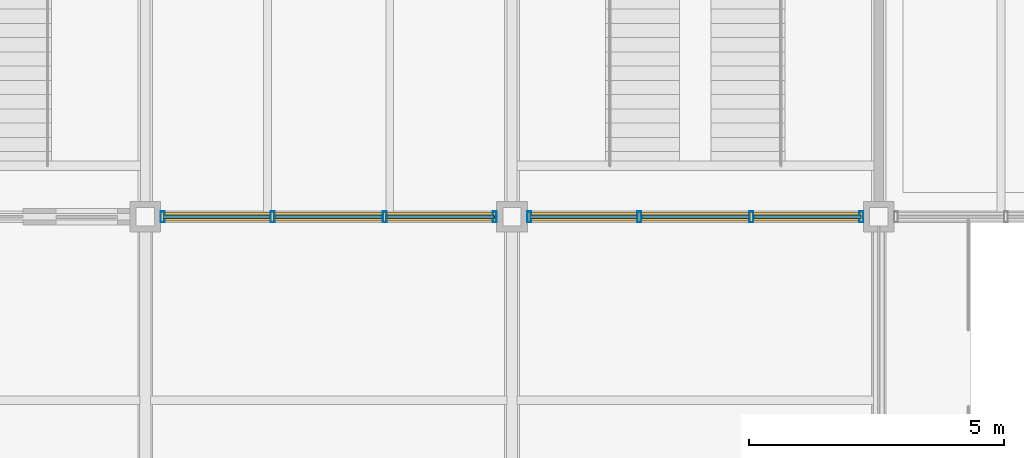
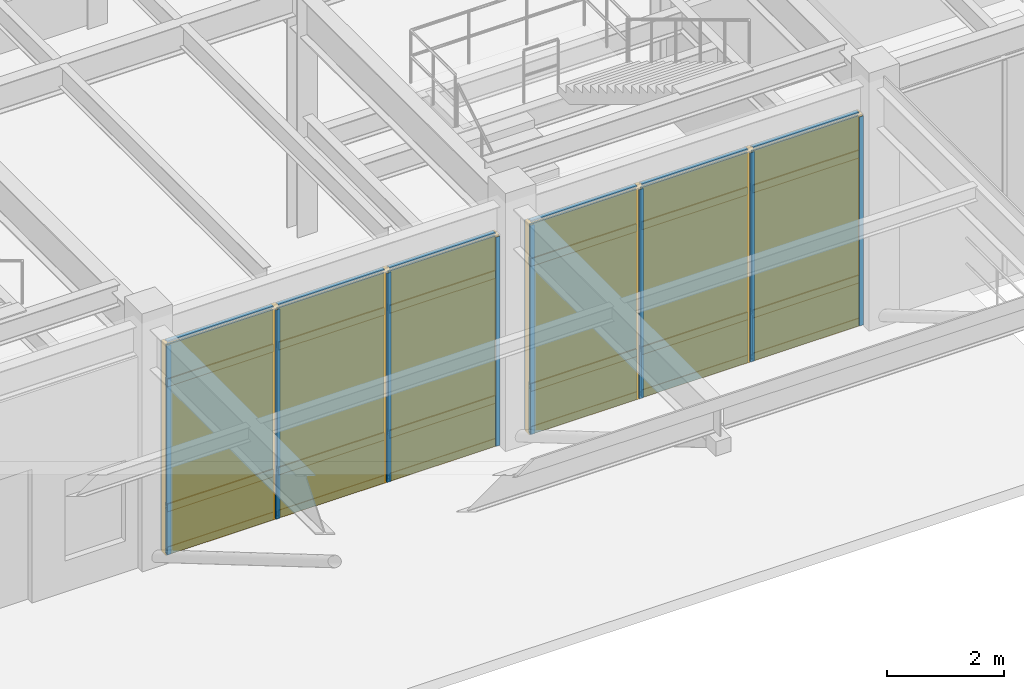
# One storey, part 55 of 97: 32 members, 12 plates, 2 curtain walls.
"""IFC4 building model written with IfcOpenShell, lengths in metres."""

from ifc_helpers import new_model, si_unit, direction, frame, origin, origin_2d, place, context, subcontext, project, spatial, rectangle, hollow_rectangle, extrude, material, layer, layer_set, material_profile, profile_set, type_object, element, aggregate, save


model = new_model("IFC4")

# Units and contexts
model_context = context("Model", 3, precision=1e-05, world=origin(), true_north=direction((0.0, 1.0)))
body_context = subcontext(model_context, "Body", "Model", "MODEL_VIEW")
ifc_project = project(units=[si_unit("LENGTHUNIT", "METRE"), si_unit("AREAUNIT", "SQUARE_METRE"), si_unit("VOLUMEUNIT", "CUBIC_METRE"), si_unit("PLANEANGLEUNIT", "RADIAN"), si_unit("MASSUNIT", "GRAM", prefix="KILO")], contexts=[model_context])

# Member
ifc_material_1 = material(Name="Anodized Aluminium 6063-T6", Category="aluminium")
ifc_material_profile_1 = material_profile(ifc_material_1, hollow_rectangle(XDim=0.074951171875, YDim=0.219970703125, WallThickness=0.0048828125, at=origin_2d()), Name="ALU 75x220x5")
ifc_profile_set_1 = profile_set([ifc_material_profile_1], Name="Anodized Aluminium 6063-T6")
member_type_1 = type_object("IfcMemberType", Name="CWM-75X180", PredefinedType="MULLION", material=ifc_profile_set_1)
site_placement = place(None, origin())
building_placement = place(site_placement, origin())
storey_placement = place(building_placement, origin())
member_1_placement = place(storey_placement, frame((100.4599609375, 7.199951171875, 0.02001953125), z_axis=(0.0, 0.0, 1.0), x_axis=(1.0, 0.0, 0.0)))
member_1 = element("IfcMember", 1, at=member_1_placement, type_object=member_type_1, Name="Curtain wall mullion CW-L01-13-01-S-00", PredefinedType="MULLION", context=body_context, shape_type="SweptSolid", body=[
    extrude(hollow_rectangle(XDim=0.074951171875, YDim=0.219970703125, WallThickness=0.0048828125, at=origin_2d()), origin(), (0.0, 0.0, 1.0), 4.3779296875),
])

member_2_placement = place(storey_placement, frame((98.300048828125, 7.199951171875, 0.02001953125), z_axis=(0.0, 0.0, 1.0), x_axis=(1.0, 0.0, 0.0)))
member_2 = element("IfcMember", 2, at=member_2_placement, type_object=member_type_1, Name="Curtain wall mullion CW-L01-13-01-S-01", PredefinedType="MULLION", context=body_context, shape_type="SweptSolid", body=[
    extrude(hollow_rectangle(XDim=0.074951171875, YDim=0.219970703125, WallThickness=0.0048828125, at=origin_2d()), origin(), (0.0, 0.0, 1.0), 4.3779296875),
])

member_3_placement = place(storey_placement, frame((96.10009765625, 7.199951171875, 0.02001953125), z_axis=(0.0, 0.0, 1.0), x_axis=(1.0, 0.0, 0.0)))
member_3 = element("IfcMember", 3, at=member_3_placement, type_object=member_type_1, Name="Curtain wall mullion CW-L01-13-01-S-02", PredefinedType="MULLION", context=body_context, shape_type="SweptSolid", body=[
    extrude(hollow_rectangle(XDim=0.074951171875, YDim=0.219970703125, WallThickness=0.0048828125, at=origin_2d()), origin(), (0.0, 0.0, 1.0), 4.3779296875),
])

member_4_placement = place(storey_placement, frame((93.93994140625, 7.199951171875, 0.02001953125), z_axis=(0.0, 0.0, 1.0), x_axis=(1.0, 0.0, 0.0)))
member_4 = element("IfcMember", 4, at=member_4_placement, type_object=member_type_1, Name="Curtain wall mullion CW-L01-13-01-S-03", PredefinedType="MULLION", context=body_context, shape_type="SweptSolid", body=[
    extrude(hollow_rectangle(XDim=0.074951171875, YDim=0.219970703125, WallThickness=0.0048828125, at=origin_2d()), origin(), (0.0, 0.0, 1.0), 4.3779296875),
])

member_5_placement = place(storey_placement, frame((107.659912109375, 7.199951171875, 0.02001953125), z_axis=(0.0, 0.0, 1.0), x_axis=(1.0, 0.0, 0.0)))
member_5 = element("IfcMember", 5, at=member_5_placement, type_object=member_type_1, Name="Curtain wall mullion CW-L01-14-01-S-00", PredefinedType="MULLION", context=body_context, shape_type="SweptSolid", body=[
    extrude(hollow_rectangle(XDim=0.074951171875, YDim=0.219970703125, WallThickness=0.0048828125, at=origin_2d()), origin(), (0.0, 0.0, 1.0), 4.3779296875),
])

member_6_placement = place(storey_placement, frame((105.5, 7.199951171875, 0.02001953125), z_axis=(0.0, 0.0, 1.0), x_axis=(1.0, 0.0, 0.0)))
member_6 = element("IfcMember", 6, at=member_6_placement, type_object=member_type_1, Name="Curtain wall mullion CW-L01-14-01-S-01", PredefinedType="MULLION", context=body_context, shape_type="SweptSolid", body=[
    extrude(hollow_rectangle(XDim=0.074951171875, YDim=0.219970703125, WallThickness=0.0048828125, at=origin_2d()), origin(), (0.0, 0.0, 1.0), 4.3779296875),
])

member_7_placement = place(storey_placement, frame((103.300048828125, 7.199951171875, 0.02001953125), z_axis=(0.0, 0.0, 1.0), x_axis=(1.0, 0.0, 0.0)))
member_7 = element("IfcMember", 7, at=member_7_placement, type_object=member_type_1, Name="Curtain wall mullion CW-L01-14-01-S-02", PredefinedType="MULLION", context=body_context, shape_type="SweptSolid", body=[
    extrude(hollow_rectangle(XDim=0.074951171875, YDim=0.219970703125, WallThickness=0.0048828125, at=origin_2d()), origin(), (0.0, 0.0, 1.0), 4.3779296875),
])

member_8_placement = place(storey_placement, frame((101.139892578125, 7.199951171875, 0.02001953125), z_axis=(0.0, 0.0, 1.0), x_axis=(1.0, 0.0, 0.0)))
member_8 = element("IfcMember", 8, at=member_8_placement, type_object=member_type_1, Name="Curtain wall mullion CW-L01-14-01-S-03", PredefinedType="MULLION", context=body_context, shape_type="SweptSolid", body=[
    extrude(hollow_rectangle(XDim=0.074951171875, YDim=0.219970703125, WallThickness=0.0048828125, at=origin_2d()), origin(), (0.0, 0.0, 1.0), 4.3779296875),
])

ifc_material_profile_2 = material_profile(ifc_material_1, hollow_rectangle(XDim=0.074951171875, YDim=0.159912109375, WallThickness=0.00390625, at=origin_2d()), Name="ALU 75x160x4")
ifc_profile_set_2 = profile_set([ifc_material_profile_2], Name="Anodized Aluminium 6063-T6")
member_type_2 = type_object("IfcMemberType", Name="CWT-75X150", PredefinedType="USERDEFINED", material=ifc_profile_set_2)
member_9_placement = place(storey_placement, frame((100.449951171875, 7.199951171875, 0.050048828125), z_axis=(-1.0, 0.0, 0.0), x_axis=(0.0, -1.0, 0.0)))
member_9 = element("IfcMember", 9, at=member_9_placement, type_object=member_type_2, Name="Curtain wall transom CW-L01-13-01-S-1.01", ObjectType="TRANSOM", PredefinedType="USERDEFINED", context=body_context, shape_type="SweptSolid", body=[
    extrude(hollow_rectangle(XDim=0.074951171875, YDim=0.159912109375, WallThickness=0.00390625, at=origin_2d()), origin(), (0.0, 0.0, 1.0), 2.099853515625),
])

member_10_placement = place(storey_placement, frame((98.25, 7.199951171875, 0.050048828125), z_axis=(-1.0, 0.0, 0.0), x_axis=(0.0, -1.0, 0.0)))
member_10 = element("IfcMember", 10, at=member_10_placement, type_object=member_type_2, Name="Curtain wall transom CW-L01-13-01-S-1.02", ObjectType="TRANSOM", PredefinedType="USERDEFINED", context=body_context, shape_type="SweptSolid", body=[
    extrude(hollow_rectangle(XDim=0.074951171875, YDim=0.159912109375, WallThickness=0.00390625, at=origin_2d()), origin(), (0.0, 0.0, 1.0), 2.10009765625),
])

member_11_placement = place(storey_placement, frame((96.050048828125, 7.199951171875, 0.050048828125), z_axis=(-1.0, 0.0, 0.0), x_axis=(0.0, -1.0, 0.0)))
member_11 = element("IfcMember", 11, at=member_11_placement, type_object=member_type_2, Name="Curtain wall transom CW-L01-13-01-S-1.03", ObjectType="TRANSOM", PredefinedType="USERDEFINED", context=body_context, shape_type="SweptSolid", body=[
    extrude(hollow_rectangle(XDim=0.074951171875, YDim=0.159912109375, WallThickness=0.00390625, at=origin_2d()), origin(), (0.0, 0.0, 1.0), 2.10009765625),
])

member_12_placement = place(storey_placement, frame((100.449951171875, 7.199951171875, 0.949951171875), z_axis=(-1.0, 0.0, 0.0), x_axis=(0.0, -1.0, 0.0)))
member_12 = element("IfcMember", 12, at=member_12_placement, type_object=member_type_2, Name="Curtain wall transom CW-L01-13-01-S-2.01", ObjectType="TRANSOM", PredefinedType="USERDEFINED", context=body_context, shape_type="SweptSolid", body=[
    extrude(hollow_rectangle(XDim=0.074951171875, YDim=0.159912109375, WallThickness=0.00390625, at=origin_2d()), origin(), (0.0, 0.0, 1.0), 2.099853515625),
])

member_13_placement = place(storey_placement, frame((98.25, 7.199951171875, 0.949951171875), z_axis=(-1.0, 0.0, 0.0), x_axis=(0.0, -1.0, 0.0)))
member_13 = element("IfcMember", 13, at=member_13_placement, type_object=member_type_2, Name="Curtain wall transom CW-L01-13-01-S-2.02", ObjectType="TRANSOM", PredefinedType="USERDEFINED", context=body_context, shape_type="SweptSolid", body=[
    extrude(hollow_rectangle(XDim=0.074951171875, YDim=0.159912109375, WallThickness=0.00390625, at=origin_2d()), origin(), (0.0, 0.0, 1.0), 2.10009765625),
])

member_14_placement = place(storey_placement, frame((96.050048828125, 7.199951171875, 0.949951171875), z_axis=(-1.0, 0.0, 0.0), x_axis=(0.0, -1.0, 0.0)))
member_14 = element("IfcMember", 14, at=member_14_placement, type_object=member_type_2, Name="Curtain wall transom CW-L01-13-01-S-2.03", ObjectType="TRANSOM", PredefinedType="USERDEFINED", context=body_context, shape_type="SweptSolid", body=[
    extrude(hollow_rectangle(XDim=0.074951171875, YDim=0.159912109375, WallThickness=0.00390625, at=origin_2d()), origin(), (0.0, 0.0, 1.0), 2.10009765625),
])

member_15_placement = place(storey_placement, frame((100.449951171875, 7.199951171875, 3.568115234375), z_axis=(-1.0, 0.0, 0.0), x_axis=(0.0, -1.0, 0.0)))
member_15 = element("IfcMember", 15, at=member_15_placement, type_object=member_type_2, Name="Curtain wall transom CW-L01-13-01-S-3.01", ObjectType="TRANSOM", PredefinedType="USERDEFINED", context=body_context, shape_type="SweptSolid", body=[
    extrude(hollow_rectangle(XDim=0.074951171875, YDim=0.159912109375, WallThickness=0.00390625, at=origin_2d()), origin(), (0.0, 0.0, 1.0), 2.099853515625),
])

member_16_placement = place(storey_placement, frame((98.25, 7.199951171875, 3.568115234375), z_axis=(-1.0, 0.0, 0.0), x_axis=(0.0, -1.0, 0.0)))
member_16 = element("IfcMember", 16, at=member_16_placement, type_object=member_type_2, Name="Curtain wall transom CW-L01-13-01-S-3.02", ObjectType="TRANSOM", PredefinedType="USERDEFINED", context=body_context, shape_type="SweptSolid", body=[
    extrude(hollow_rectangle(XDim=0.074951171875, YDim=0.159912109375, WallThickness=0.00390625, at=origin_2d()), origin(), (0.0, 0.0, 1.0), 2.10009765625),
])

member_17_placement = place(storey_placement, frame((96.050048828125, 7.199951171875, 3.568115234375), z_axis=(-1.0, 0.0, 0.0), x_axis=(0.0, -1.0, 0.0)))
member_17 = element("IfcMember", 17, at=member_17_placement, type_object=member_type_2, Name="Curtain wall transom CW-L01-13-01-S-3.03", ObjectType="TRANSOM", PredefinedType="USERDEFINED", context=body_context, shape_type="SweptSolid", body=[
    extrude(hollow_rectangle(XDim=0.074951171875, YDim=0.159912109375, WallThickness=0.00390625, at=origin_2d()), origin(), (0.0, 0.0, 1.0), 2.10009765625),
])

member_18_placement = place(storey_placement, frame((100.449951171875, 7.199951171875, 4.367919921875), z_axis=(-1.0, 0.0, 0.0), x_axis=(0.0, -1.0, 0.0)))
member_18 = element("IfcMember", 18, at=member_18_placement, type_object=member_type_2, Name="Curtain wall transom CW-L01-13-01-S-4.01", ObjectType="TRANSOM", PredefinedType="USERDEFINED", context=body_context, shape_type="SweptSolid", body=[
    extrude(hollow_rectangle(XDim=0.074951171875, YDim=0.159912109375, WallThickness=0.00390625, at=origin_2d()), origin(), (0.0, 0.0, 1.0), 2.099853515625),
])

member_19_placement = place(storey_placement, frame((98.25, 7.199951171875, 4.367919921875), z_axis=(-1.0, 0.0, 0.0), x_axis=(0.0, -1.0, 0.0)))
member_19 = element("IfcMember", 19, at=member_19_placement, type_object=member_type_2, Name="Curtain wall transom CW-L01-13-01-S-4.02", ObjectType="TRANSOM", PredefinedType="USERDEFINED", context=body_context, shape_type="SweptSolid", body=[
    extrude(hollow_rectangle(XDim=0.074951171875, YDim=0.159912109375, WallThickness=0.00390625, at=origin_2d()), origin(), (0.0, 0.0, 1.0), 2.10009765625),
])

member_20_placement = place(storey_placement, frame((96.050048828125, 7.199951171875, 4.367919921875), z_axis=(-1.0, 0.0, 0.0), x_axis=(0.0, -1.0, 0.0)))
member_20 = element("IfcMember", 20, at=member_20_placement, type_object=member_type_2, Name="Curtain wall transom CW-L01-13-01-S-4.03", ObjectType="TRANSOM", PredefinedType="USERDEFINED", context=body_context, shape_type="SweptSolid", body=[
    extrude(hollow_rectangle(XDim=0.074951171875, YDim=0.159912109375, WallThickness=0.00390625, at=origin_2d()), origin(), (0.0, 0.0, 1.0), 2.10009765625),
])

member_21_placement = place(storey_placement, frame((107.64990234375, 7.199951171875, 0.050048828125), z_axis=(-1.0, 0.0, 0.0), x_axis=(0.0, -1.0, 0.0)))
member_21 = element("IfcMember", 21, at=member_21_placement, type_object=member_type_2, Name="Curtain wall transom CW-L01-14-01-S-1.01", ObjectType="TRANSOM", PredefinedType="USERDEFINED", context=body_context, shape_type="SweptSolid", body=[
    extrude(hollow_rectangle(XDim=0.074951171875, YDim=0.159912109375, WallThickness=0.00390625, at=origin_2d()), origin(), (0.0, 0.0, 1.0), 2.099853515625),
])

member_22_placement = place(storey_placement, frame((105.449951171875, 7.199951171875, 0.050048828125), z_axis=(-1.0, 0.0, 0.0), x_axis=(0.0, -1.0, 0.0)))
member_22 = element("IfcMember", 22, at=member_22_placement, type_object=member_type_2, Name="Curtain wall transom CW-L01-14-01-S-1.02", ObjectType="TRANSOM", PredefinedType="USERDEFINED", context=body_context, shape_type="SweptSolid", body=[
    extrude(hollow_rectangle(XDim=0.074951171875, YDim=0.159912109375, WallThickness=0.00390625, at=origin_2d()), origin(), (0.0, 0.0, 1.0), 2.099853515625),
])

member_23_placement = place(storey_placement, frame((103.25, 7.199951171875, 0.050048828125), z_axis=(-1.0, 0.0, 0.0), x_axis=(0.0, -1.0, 0.0)))
member_23 = element("IfcMember", 23, at=member_23_placement, type_object=member_type_2, Name="Curtain wall transom CW-L01-14-01-S-1.03", ObjectType="TRANSOM", PredefinedType="USERDEFINED", context=body_context, shape_type="SweptSolid", body=[
    extrude(hollow_rectangle(XDim=0.074951171875, YDim=0.159912109375, WallThickness=0.00390625, at=origin_2d()), origin(), (0.0, 0.0, 1.0), 2.10009765625),
])

member_24_placement = place(storey_placement, frame((107.64990234375, 7.199951171875, 0.949951171875), z_axis=(-1.0, 0.0, 0.0), x_axis=(0.0, -1.0, 0.0)))
member_24 = element("IfcMember", 24, at=member_24_placement, type_object=member_type_2, Name="Curtain wall transom CW-L01-14-01-S-2.01", ObjectType="TRANSOM", PredefinedType="USERDEFINED", context=body_context, shape_type="SweptSolid", body=[
    extrude(hollow_rectangle(XDim=0.074951171875, YDim=0.159912109375, WallThickness=0.00390625, at=origin_2d()), origin(), (0.0, 0.0, 1.0), 2.099853515625),
])

member_25_placement = place(storey_placement, frame((105.449951171875, 7.199951171875, 0.949951171875), z_axis=(-1.0, 0.0, 0.0), x_axis=(0.0, -1.0, 0.0)))
member_25 = element("IfcMember", 25, at=member_25_placement, type_object=member_type_2, Name="Curtain wall transom CW-L01-14-01-S-2.02", ObjectType="TRANSOM", PredefinedType="USERDEFINED", context=body_context, shape_type="SweptSolid", body=[
    extrude(hollow_rectangle(XDim=0.074951171875, YDim=0.159912109375, WallThickness=0.00390625, at=origin_2d()), origin(), (0.0, 0.0, 1.0), 2.099853515625),
])

member_26_placement = place(storey_placement, frame((103.25, 7.199951171875, 0.949951171875), z_axis=(-1.0, 0.0, 0.0), x_axis=(0.0, -1.0, 0.0)))
member_26 = element("IfcMember", 26, at=member_26_placement, type_object=member_type_2, Name="Curtain wall transom CW-L01-14-01-S-2.03", ObjectType="TRANSOM", PredefinedType="USERDEFINED", context=body_context, shape_type="SweptSolid", body=[
    extrude(hollow_rectangle(XDim=0.074951171875, YDim=0.159912109375, WallThickness=0.00390625, at=origin_2d()), origin(), (0.0, 0.0, 1.0), 2.10009765625),
])

member_27_placement = place(storey_placement, frame((107.64990234375, 7.199951171875, 3.568115234375), z_axis=(-1.0, 0.0, 0.0), x_axis=(0.0, -1.0, 0.0)))
member_27 = element("IfcMember", 27, at=member_27_placement, type_object=member_type_2, Name="Curtain wall transom CW-L01-14-01-S-3.01", ObjectType="TRANSOM", PredefinedType="USERDEFINED", context=body_context, shape_type="SweptSolid", body=[
    extrude(hollow_rectangle(XDim=0.074951171875, YDim=0.159912109375, WallThickness=0.00390625, at=origin_2d()), origin(), (0.0, 0.0, 1.0), 2.099853515625),
])

member_28_placement = place(storey_placement, frame((105.449951171875, 7.199951171875, 3.568115234375), z_axis=(-1.0, 0.0, 0.0), x_axis=(0.0, -1.0, 0.0)))
member_28 = element("IfcMember", 28, at=member_28_placement, type_object=member_type_2, Name="Curtain wall transom CW-L01-14-01-S-3.02", ObjectType="TRANSOM", PredefinedType="USERDEFINED", context=body_context, shape_type="SweptSolid", body=[
    extrude(hollow_rectangle(XDim=0.074951171875, YDim=0.159912109375, WallThickness=0.00390625, at=origin_2d()), origin(), (0.0, 0.0, 1.0), 2.099853515625),
])

member_29_placement = place(storey_placement, frame((103.25, 7.199951171875, 3.568115234375), z_axis=(-1.0, 0.0, 0.0), x_axis=(0.0, -1.0, 0.0)))
member_29 = element("IfcMember", 29, at=member_29_placement, type_object=member_type_2, Name="Curtain wall transom CW-L01-14-01-S-3.03", ObjectType="TRANSOM", PredefinedType="USERDEFINED", context=body_context, shape_type="SweptSolid", body=[
    extrude(hollow_rectangle(XDim=0.074951171875, YDim=0.159912109375, WallThickness=0.00390625, at=origin_2d()), origin(), (0.0, 0.0, 1.0), 2.10009765625),
])

member_30_placement = place(storey_placement, frame((107.64990234375, 7.199951171875, 4.367919921875), z_axis=(-1.0, 0.0, 0.0), x_axis=(0.0, -1.0, 0.0)))
member_30 = element("IfcMember", 30, at=member_30_placement, type_object=member_type_2, Name="Curtain wall transom CW-L01-14-01-S-4.01", ObjectType="TRANSOM", PredefinedType="USERDEFINED", context=body_context, shape_type="SweptSolid", body=[
    extrude(hollow_rectangle(XDim=0.074951171875, YDim=0.159912109375, WallThickness=0.00390625, at=origin_2d()), origin(), (0.0, 0.0, 1.0), 2.099853515625),
])

member_31_placement = place(storey_placement, frame((105.449951171875, 7.199951171875, 4.367919921875), z_axis=(-1.0, 0.0, 0.0), x_axis=(0.0, -1.0, 0.0)))
member_31 = element("IfcMember", 31, at=member_31_placement, type_object=member_type_2, Name="Curtain wall transom CW-L01-14-01-S-4.02", ObjectType="TRANSOM", PredefinedType="USERDEFINED", context=body_context, shape_type="SweptSolid", body=[
    extrude(hollow_rectangle(XDim=0.074951171875, YDim=0.159912109375, WallThickness=0.00390625, at=origin_2d()), origin(), (0.0, 0.0, 1.0), 2.099853515625),
])

member_32_placement = place(storey_placement, frame((103.25, 7.199951171875, 4.367919921875), z_axis=(-1.0, 0.0, 0.0), x_axis=(0.0, -1.0, 0.0)))
member_32 = element("IfcMember", 32, at=member_32_placement, type_object=member_type_2, Name="Curtain wall transom CW-L01-14-01-S-4.03", ObjectType="TRANSOM", PredefinedType="USERDEFINED", context=body_context, shape_type="SweptSolid", body=[
    extrude(hollow_rectangle(XDim=0.074951171875, YDim=0.159912109375, WallThickness=0.00390625, at=origin_2d()), origin(), (0.0, 0.0, 1.0), 2.10009765625),
])

# Plate
ifc_material_2 = material(Name="Acoustic Laminated Low-E Glazing", Category="glass")
ifc_layer_1 = layer(ifc_material_2, 0.0439453125)
ifc_layer_set_1 = layer_set([ifc_layer_1], Name="Acoustic Laminated Low-E Glazing")
plate_type_1 = type_object("IfcPlateType", Name="CWP-IGU-44", PredefinedType="CURTAIN_PANEL", material=ifc_layer_set_1)
plate_1_placement = place(storey_placement, frame((99.39990234375, 7.199951171875, 0.990234375), z_axis=(0.0, 0.0, 1.0), x_axis=(-1.0, 0.0, 0.0)))
plate_1 = element("IfcPlate", 33, at=plate_1_placement, type_object=plate_type_1, Name="Curtain wall vision glazing CW-L01-13-01-S-01", PredefinedType="CURTAIN_PANEL", context=body_context, shape_type="SweptSolid", body=[
    extrude(rectangle(XDim=2.110107421875, YDim=0.0400390625, at=origin_2d()), origin(), (0.0, 0.0, 1.0), 3.367919921875),
])

plate_2_placement = place(storey_placement, frame((97.199951171875, 7.199951171875, 0.990234375), z_axis=(0.0, 0.0, 1.0), x_axis=(-1.0, 0.0, 0.0)))
plate_2 = element("IfcPlate", 34, at=plate_2_placement, type_object=plate_type_1, Name="Curtain wall vision glazing CW-L01-13-01-S-02", PredefinedType="CURTAIN_PANEL", context=body_context, shape_type="SweptSolid", body=[
    extrude(rectangle(XDim=2.110107421875, YDim=0.0400390625, at=origin_2d()), origin(), (0.0, 0.0, 1.0), 3.367919921875),
])

plate_3_placement = place(storey_placement, frame((95.0, 7.199951171875, 0.990234375), z_axis=(0.0, 0.0, 1.0), x_axis=(-1.0, 0.0, 0.0)))
plate_3 = element("IfcPlate", 35, at=plate_3_placement, type_object=plate_type_1, Name="Curtain wall vision glazing CW-L01-13-01-S-03", PredefinedType="CURTAIN_PANEL", context=body_context, shape_type="SweptSolid", body=[
    extrude(rectangle(XDim=2.110107421875, YDim=0.0400390625, at=origin_2d()), origin(), (0.0, 0.0, 1.0), 3.367919921875),
])

plate_4_placement = place(storey_placement, frame((106.60009765625, 7.199951171875, 0.990234375), z_axis=(0.0, 0.0, 1.0), x_axis=(-1.0, 0.0, 0.0)))
plate_4 = element("IfcPlate", 36, at=plate_4_placement, type_object=plate_type_1, Name="Curtain wall vision glazing CW-L01-14-01-S-01", PredefinedType="CURTAIN_PANEL", context=body_context, shape_type="SweptSolid", body=[
    extrude(rectangle(XDim=2.110107421875, YDim=0.0400390625, at=origin_2d()), origin(), (0.0, 0.0, 1.0), 3.367919921875),
])

plate_5_placement = place(storey_placement, frame((104.39990234375, 7.199951171875, 0.990234375), z_axis=(0.0, 0.0, 1.0), x_axis=(-1.0, 0.0, 0.0)))
plate_5 = element("IfcPlate", 37, at=plate_5_placement, type_object=plate_type_1, Name="Curtain wall vision glazing CW-L01-14-01-S-02", PredefinedType="CURTAIN_PANEL", context=body_context, shape_type="SweptSolid", body=[
    extrude(rectangle(XDim=2.110107421875, YDim=0.0400390625, at=origin_2d()), origin(), (0.0, 0.0, 1.0), 3.367919921875),
])

plate_6_placement = place(storey_placement, frame((102.199951171875, 7.199951171875, 0.990234375), z_axis=(0.0, 0.0, 1.0), x_axis=(-1.0, 0.0, 0.0)))
plate_6 = element("IfcPlate", 38, at=plate_6_placement, type_object=plate_type_1, Name="Curtain wall vision glazing CW-L01-14-01-S-03", PredefinedType="CURTAIN_PANEL", context=body_context, shape_type="SweptSolid", body=[
    extrude(rectangle(XDim=2.110107421875, YDim=0.0400390625, at=origin_2d()), origin(), (0.0, 0.0, 1.0), 3.367919921875),
])

ifc_material_3 = material(Name="Insulated Stone-Composite Spandrel", Category="masonry")
ifc_layer_2 = layer(ifc_material_3, 0.068115234375)
ifc_layer_set_2 = layer_set([ifc_layer_2], Name="Insulated Stone-Composite Spandrel")
plate_type_2 = type_object("IfcPlateType", Name="CWP-SPN-68", PredefinedType="CURTAIN_PANEL", material=ifc_layer_set_2)
plate_7_placement = place(storey_placement, frame((99.39990234375, 7.199951171875, 0.080078125), z_axis=(0.0, 0.0, 1.0), x_axis=(-1.0, 0.0, 0.0)))
plate_7 = element("IfcPlate", 39, at=plate_7_placement, type_object=plate_type_2, Name="Curtain wall spandrel panel CW-L01-13-01-S-01", PredefinedType="CURTAIN_PANEL", context=body_context, shape_type="SweptSolid", body=[
    extrude(rectangle(XDim=2.110107421875, YDim=0.06005859375, at=origin_2d()), origin(), (0.0, 0.0, 1.0), 0.840087890625),
])

plate_8_placement = place(storey_placement, frame((97.199951171875, 7.199951171875, 0.080078125), z_axis=(0.0, 0.0, 1.0), x_axis=(-1.0, 0.0, 0.0)))
plate_8 = element("IfcPlate", 40, at=plate_8_placement, type_object=plate_type_2, Name="Curtain wall spandrel panel CW-L01-13-01-S-02", PredefinedType="CURTAIN_PANEL", context=body_context, shape_type="SweptSolid", body=[
    extrude(rectangle(XDim=2.110107421875, YDim=0.06005859375, at=origin_2d()), origin(), (0.0, 0.0, 1.0), 0.840087890625),
])

plate_9_placement = place(storey_placement, frame((95.0, 7.199951171875, 0.080078125), z_axis=(0.0, 0.0, 1.0), x_axis=(-1.0, 0.0, 0.0)))
plate_9 = element("IfcPlate", 41, at=plate_9_placement, type_object=plate_type_2, Name="Curtain wall spandrel panel CW-L01-13-01-S-03", PredefinedType="CURTAIN_PANEL", context=body_context, shape_type="SweptSolid", body=[
    extrude(rectangle(XDim=2.110107421875, YDim=0.06005859375, at=origin_2d()), origin(), (0.0, 0.0, 1.0), 0.840087890625),
])

plate_10_placement = place(storey_placement, frame((106.60009765625, 7.199951171875, 0.080078125), z_axis=(0.0, 0.0, 1.0), x_axis=(-1.0, 0.0, 0.0)))
plate_10 = element("IfcPlate", 42, at=plate_10_placement, type_object=plate_type_2, Name="Curtain wall spandrel panel CW-L01-14-01-S-01", PredefinedType="CURTAIN_PANEL", context=body_context, shape_type="SweptSolid", body=[
    extrude(rectangle(XDim=2.110107421875, YDim=0.06005859375, at=origin_2d()), origin(), (0.0, 0.0, 1.0), 0.840087890625),
])

plate_11_placement = place(storey_placement, frame((104.39990234375, 7.199951171875, 0.080078125), z_axis=(0.0, 0.0, 1.0), x_axis=(-1.0, 0.0, 0.0)))
plate_11 = element("IfcPlate", 43, at=plate_11_placement, type_object=plate_type_2, Name="Curtain wall spandrel panel CW-L01-14-01-S-02", PredefinedType="CURTAIN_PANEL", context=body_context, shape_type="SweptSolid", body=[
    extrude(rectangle(XDim=2.110107421875, YDim=0.06005859375, at=origin_2d()), origin(), (0.0, 0.0, 1.0), 0.840087890625),
])

plate_12_placement = place(storey_placement, frame((102.199951171875, 7.199951171875, 0.080078125), z_axis=(0.0, 0.0, 1.0), x_axis=(-1.0, 0.0, 0.0)))
plate_12 = element("IfcPlate", 44, at=plate_12_placement, type_object=plate_type_2, Name="Curtain wall spandrel panel CW-L01-14-01-S-03", PredefinedType="CURTAIN_PANEL", context=body_context, shape_type="SweptSolid", body=[
    extrude(rectangle(XDim=2.110107421875, YDim=0.06005859375, at=origin_2d()), origin(), (0.0, 0.0, 1.0), 0.840087890625),
])

# Site, building, storey
site = spatial("IfcSite", under=ifc_project, at=site_placement, CompositionType="ELEMENT")
building = spatial("IfcBuilding", under=site, at=building_placement, Name="Sillqori Civic Hall", CompositionType="ELEMENT")
storey = spatial("IfcBuildingStorey", under=building, at=storey_placement, Name="L01", CompositionType="ELEMENT", Elevation=0.0)

# Curtain wall
ifc_material_4 = material(Name="Anodized Aluminium Curtain Wall System", Category="aluminium")
curtain_wall_type = type_object("IfcCurtainWallType", Name="CW-SF-480", PredefinedType="NOTDEFINED", material=ifc_material_4)
curtain_wall_1_placement = place(storey_placement, frame((97.199951171875, 7.199951171875, 0.0), z_axis=(0.0, 0.0, 1.0), x_axis=(-1.0, 0.0, 0.0)))
curtain_wall_1 = element("IfcCurtainWall", 45, at=curtain_wall_1_placement, inside=storey, type_object=curtain_wall_type, Name="L01 unitised curtain wall CW-L01-13-01-S", PredefinedType="NOTDEFINED", context=body_context, shape_type="SweptSolid", body=[
    extrude(rectangle(XDim=6.60009765625, YDim=0.159912109375, at=origin_2d()), origin(), (0.0, 0.0, 1.0), 4.41796875),
])

aggregate(curtain_wall_1, [member_1, member_2, member_3, member_4, member_9, member_10, member_11, member_12, member_13, member_14, member_15, member_16, member_17, member_18, member_19, member_20, plate_7, plate_1, plate_8, plate_2, plate_9, plate_3])

curtain_wall_2_placement = place(storey_placement, frame((104.39990234375, 7.199951171875, 0.0), z_axis=(0.0, 0.0, 1.0), x_axis=(-1.0, 0.0, 0.0)))
curtain_wall_2 = element("IfcCurtainWall", 46, at=curtain_wall_2_placement, inside=storey, type_object=curtain_wall_type, Name="L01 unitised curtain wall CW-L01-14-01-S", PredefinedType="NOTDEFINED", context=body_context, shape_type="SweptSolid", body=[
    extrude(rectangle(XDim=6.60009765625, YDim=0.159912109375, at=origin_2d()), origin(), (0.0, 0.0, 1.0), 4.41796875),
])

aggregate(curtain_wall_2, [member_5, member_6, member_7, member_8, member_21, member_22, member_23, member_24, member_25, member_26, member_27, member_28, member_29, member_30, member_31, member_32, plate_10, plate_4, plate_11, plate_5, plate_12, plate_6])

save(model, "model.ifc")
